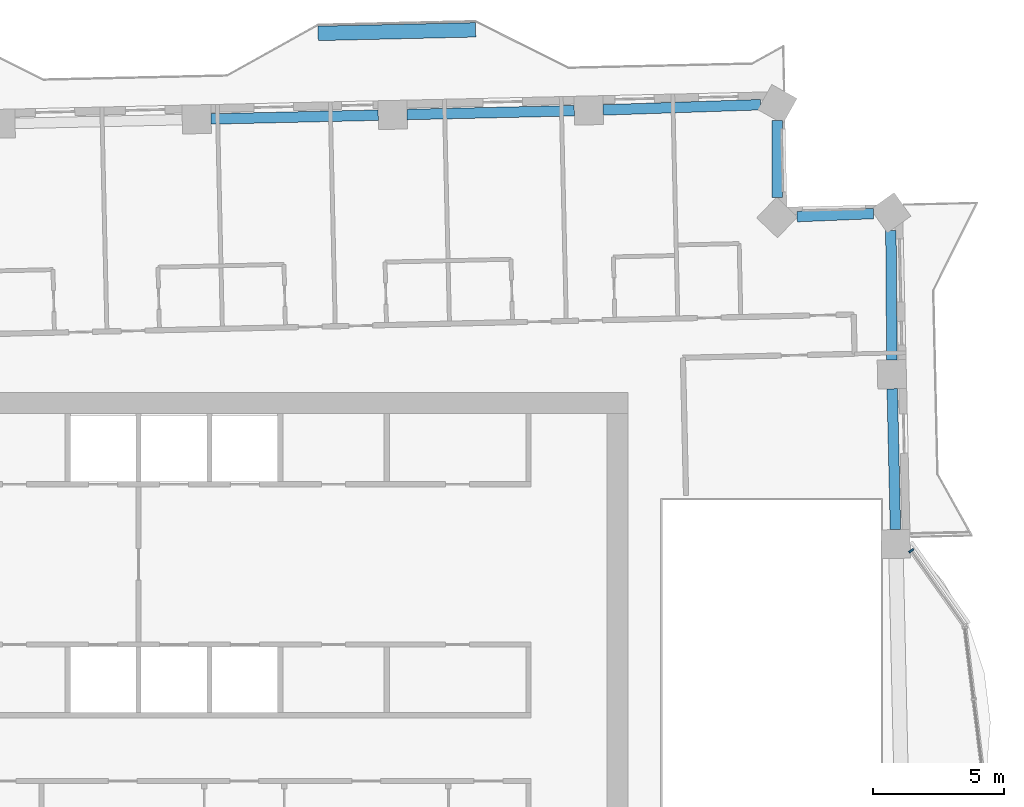
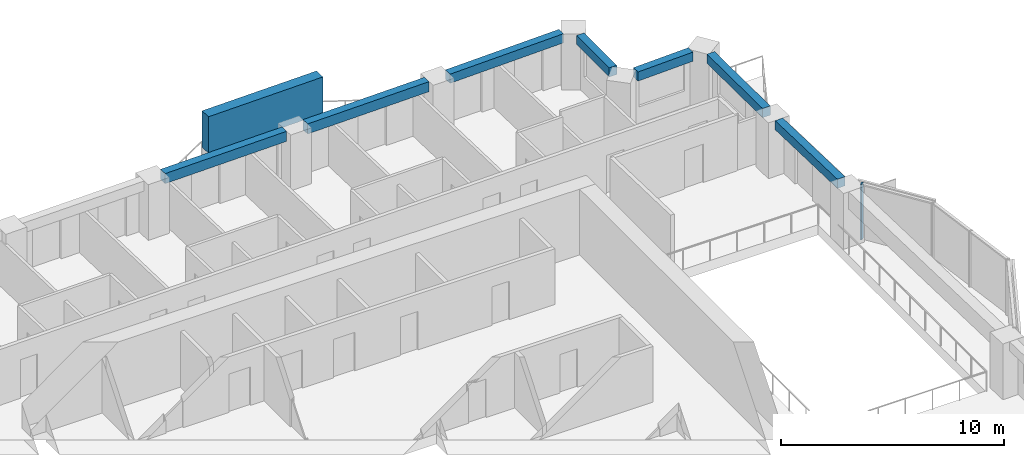
# One storey, part 4 of 17: 7 beams, 2 members, 1 element without a shape of its own.
"""IFC4 building model written with IfcOpenShell, lengths in metres."""

from ifc_helpers import new_model, si_unit, direction, frame, origin, origin_2d, place, context, subcontext, project, spatial, rectangle, extrude, material, material_profile, profile_set, type_object, element, aggregate, save


model = new_model("IFC4")

# Units and contexts
model_context = context("Model", 3, precision=1e-05, world=origin(), true_north=direction((0.0, 1.0)))
body_context = subcontext(model_context, "Body", "Model", "MODEL_VIEW")
ifc_project = project(units=[si_unit("LENGTHUNIT", "METRE"), si_unit("AREAUNIT", "SQUARE_METRE"), si_unit("VOLUMEUNIT", "CUBIC_METRE"), si_unit("PLANEANGLEUNIT", "RADIAN"), si_unit("MASSUNIT", "GRAM", prefix="KILO")], contexts=[model_context])

# Site, building, storey
site_placement = place(None, origin())
site = spatial("IfcSite", under=ifc_project, at=site_placement, CompositionType="ELEMENT")
building_placement = place(site_placement, origin())
building = spatial("IfcBuilding", under=site, at=building_placement, Name="Mangrove Gate Tower", CompositionType="ELEMENT")
storey_placement = place(building_placement, frame((0.0, 0.0, 238.300048828125)))
storey = spatial("IfcBuildingStorey", under=building, at=storey_placement, Name="L60", CompositionType="ELEMENT", Elevation=238.300048828125)

# Curtain wall, member
ifc_material_1 = material(Name="Aluminium and glass curtain wall", Category="aluminium")
curtain_wall_type = type_object("IfcCurtainWallType", Name="Atrium garden-court glazing wall", PredefinedType="NOTDEFINED", material=ifc_material_1)
curtain_wall_placement = place(storey_placement, origin())
curtain_wall = element("IfcCurtainWall", 1, at=curtain_wall_placement, inside=storey, type_object=curtain_wall_type, Name="Atrium garden-court glazing E1f3", PredefinedType="NOTDEFINED")
ifc_material_2 = material(Name="Aluminium alloy 6063-T6", Category="aluminium")
ifc_material_profile_1 = material_profile(ifc_material_2, rectangle(XDim=0.070068359375, YDim=0.199951171875, at=origin_2d()))
ifc_profile_set_1 = profile_set([ifc_material_profile_1], Name="Aluminium alloy 6063-T6")
member_type_1 = type_object("IfcMemberType", Name="Atrium garden-court glazing mullion 70x200", PredefinedType="MULLION", material=ifc_profile_set_1)
member_1_placement = place(storey_placement, frame((25.376708984375, 5.565185546875, 0.0), z_axis=(0.0, 0.0, 1.0), x_axis=(-0.578120908245, 0.815951110944, 0.0)))
member_1 = element("IfcMember", 2, at=member_1_placement, type_object=member_type_1, Name="CWA mullion 2", PredefinedType="MULLION", context=body_context, shape_type="SweptSolid", body=[
    extrude(rectangle(XDim=0.070068359375, YDim=0.199951171875, at=origin_2d()), origin(), (0.0, 0.0, 1.0), 3.050048828125),
])
aggregate(curtain_wall, [member_1])

# Member
ifc_material_3 = material(Name="Planting on aluminium trellis", Category="aluminium")
ifc_material_profile_2 = material_profile(ifc_material_3, rectangle(XDim=0.550048828125, YDim=2.0, at=origin_2d()))
ifc_profile_set_2 = profile_set([ifc_material_profile_2], Name="Planting on aluminium trellis")
member_type_2 = type_object("IfcMemberType", Name="Balcony greenery screen 550x2000", PredefinedType="USERDEFINED", material=ifc_profile_set_2)
member_2_placement = place(storey_placement, frame((2.7900390625, 25.27197265625, 1.800048828125), z_axis=(0.999743178102, 0.022662255828, 0.0), x_axis=(-0.022662255828, 0.999743178102, 0.0)))
element("IfcMember", 3, at=member_2_placement, inside=storey, type_object=member_type_2, Name="GREEN SCREEN L60 N0.1", ObjectType="PLANTING", PredefinedType="USERDEFINED", context=body_context, shape_type="SweptSolid", body=[
    extrude(rectangle(XDim=0.550048828125, YDim=2.0, at=origin_2d()), origin(), (0.0, 0.0, 1.0), 6.00048828125),
])

# Beams
ifc_material_4 = material(Name="Concrete C50/60", Category="concrete")
ifc_material_profile_3 = material_profile(ifc_material_4, rectangle(XDim=0.39990234375, YDim=0.5, at=origin_2d()))
ifc_profile_set_3 = profile_set([ifc_material_profile_3], Name="Concrete C50/60")
beam_type_1 = type_object("IfcBeamType", Name="Edge beam RC 400x500 C50/60", PredefinedType="BEAM", material=ifc_profile_set_3)
beam_1_placement = place(storey_placement, frame((24.778564453125, 6.37548828125, 2.800048828125), z_axis=(-0.022718302797, 0.999741906053, 0.0), x_axis=(-0.999741906053, -0.022718302797, 0.0)))
element("IfcBeam", 4, at=beam_1_placement, inside=storey, type_object=beam_type_1, Name="Edge beam L60 15", PredefinedType="BEAM", context=body_context, shape_type="SweptSolid", body=[
    extrude(rectangle(XDim=0.39990234375, YDim=0.5, at=origin_2d()), origin(), (0.0, 0.0, 1.0), 5.362548828125),
])
beam_2_placement = place(storey_placement, frame((24.64013671875, 12.836669921875, 2.800048828125), z_axis=(-0.007080081984, 0.999974935905, 0.0), x_axis=(-0.999974935905, -0.007080081984, 0.0)))
element("IfcBeam", 5, at=beam_2_placement, inside=storey, type_object=beam_type_1, Name="Edge beam L60 16", PredefinedType="BEAM", context=body_context, shape_type="SweptSolid", body=[
    extrude(rectangle(XDim=0.39990234375, YDim=0.5, at=origin_2d()), origin(), (0.0, 0.0, 1.0), 4.93115234375),
])
beam_3_placement = place(storey_placement, frame((23.94384765625, 18.413330078125, 2.800048828125), z_axis=(-0.999157008638, -0.041052065591, 0.0), x_axis=(0.041052065591, -0.999157008638, 0.0)))
element("IfcBeam", 6, at=beam_3_placement, inside=storey, type_object=beam_type_1, Name="Edge beam L60 17", PredefinedType="BEAM", context=body_context, shape_type="SweptSolid", body=[
    extrude(rectangle(XDim=0.39990234375, YDim=0.5, at=origin_2d()), origin(), (0.0, 0.0, 1.0), 2.9140625),
])
beam_4_placement = place(storey_placement, frame((20.27099609375, 19.021240234375, 2.800048828125), z_axis=(0.0027511359, 0.999996215618, 0.0), x_axis=(-0.999996215618, 0.0027511359, 0.0)))
element("IfcBeam", 7, at=beam_4_placement, inside=storey, type_object=beam_type_1, Name="Edge beam L60 18", PredefinedType="BEAM", context=body_context, shape_type="SweptSolid", body=[
    extrude(rectangle(XDim=0.39990234375, YDim=0.5, at=origin_2d()), origin(), (0.0, 0.0, 1.0), 2.928466796875),
])
beam_5_placement = place(storey_placement, frame((19.638671875, 22.557373046875, 2.800048828125), z_axis=(-0.999443957677, -0.033343297134, 0.0), x_axis=(0.033343297134, -0.999443957677, 0.0)))
element("IfcBeam", 8, at=beam_5_placement, inside=storey, type_object=beam_type_1, Name="Edge beam L60 19", PredefinedType="BEAM", context=body_context, shape_type="SweptSolid", body=[
    extrude(rectangle(XDim=0.39990234375, YDim=0.5, at=origin_2d()), origin(), (0.0, 0.0, 1.0), 5.996826171875),
])
ifc_material_5 = material(Name="Concrete C50/60", Category="concrete")
ifc_material_profile_4 = material_profile(ifc_material_5, rectangle(XDim=0.39990234375, YDim=0.550048828125, at=origin_2d()))
ifc_profile_set_4 = profile_set([ifc_material_profile_4], Name="Concrete C50/60")
beam_type_2 = type_object("IfcBeamType", Name="Edge beam RC 400x550 C50/60", PredefinedType="BEAM", material=ifc_profile_set_4)
beam_6_placement = place(storey_placement, frame((12.545654296875, 22.32666015625, 2.77490234375), z_axis=(-0.99974414608, -0.022619513218, 0.0), x_axis=(0.022619513218, -0.99974414608, 0.0)))
element("IfcBeam", 9, at=beam_6_placement, inside=storey, type_object=beam_type_2, Name="Edge beam L60 20", PredefinedType="BEAM", context=body_context, shape_type="SweptSolid", body=[
    extrude(rectangle(XDim=0.39990234375, YDim=0.550048828125, at=origin_2d()), origin(), (0.0, 0.0, 1.0), 6.3681640625),
])
beam_7_placement = place(storey_placement, frame((5.07958984375, 22.15771484375, 2.77490234375), z_axis=(-0.999744126464, -0.02262038022, 0.0), x_axis=(0.02262038022, -0.999744126464, 0.0)))
element("IfcBeam", 10, at=beam_7_placement, inside=storey, type_object=beam_type_2, Name="Edge beam L60 21", PredefinedType="BEAM", context=body_context, shape_type="SweptSolid", body=[
    extrude(rectangle(XDim=0.39990234375, YDim=0.550048828125, at=origin_2d()), origin(), (0.0, 0.0, 1.0), 6.367919921875),
])

save(model, "model.ifc")
